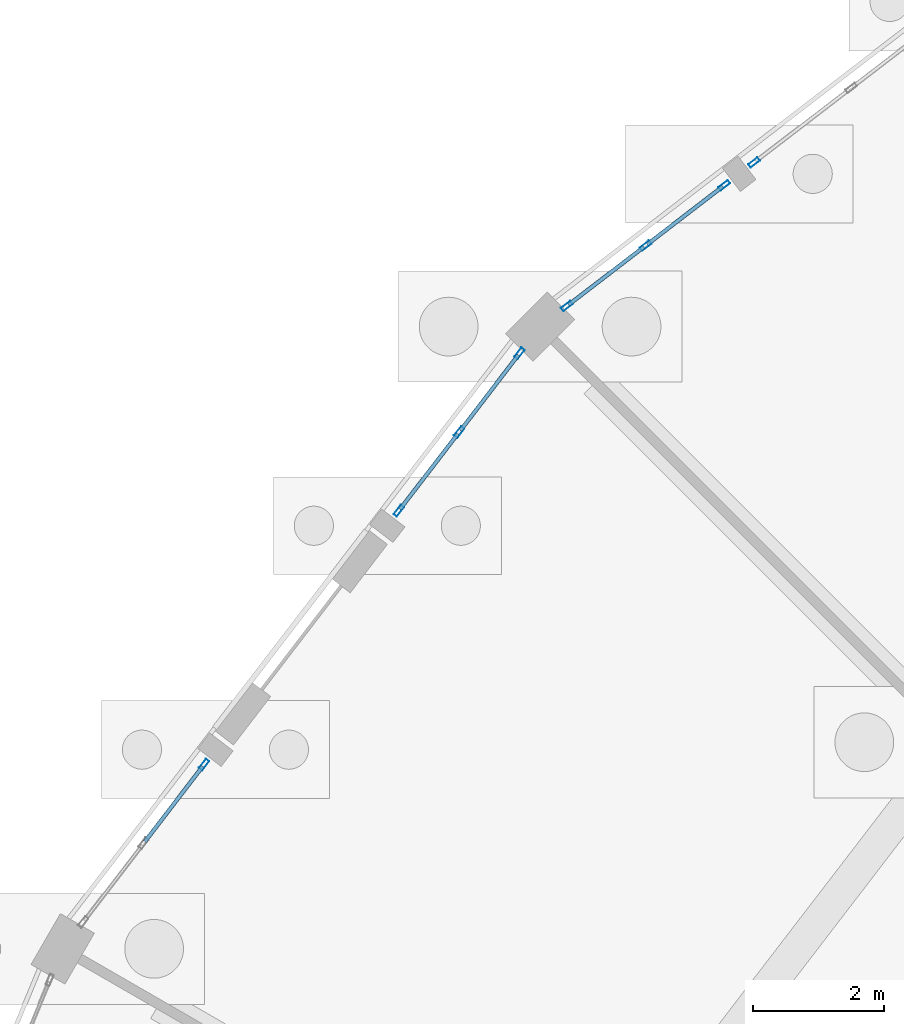
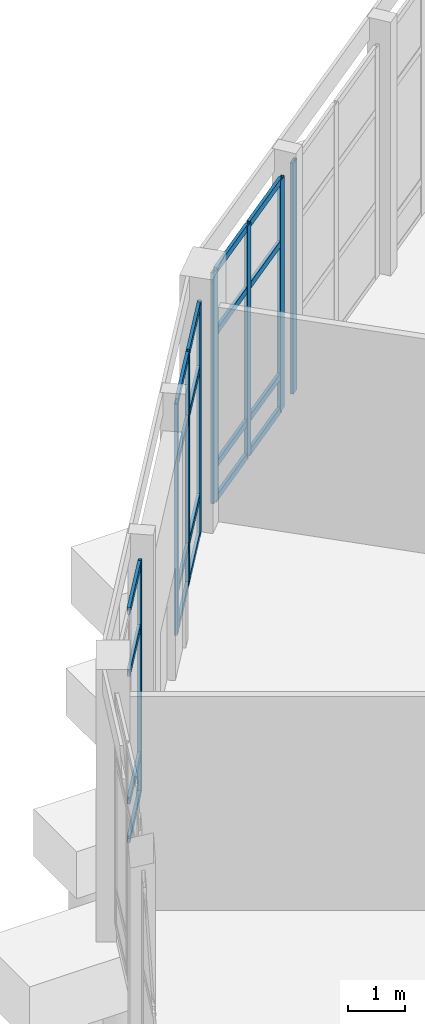
# One storey, part 56 of 137: 28 members, 4 elements without a shape of their own.
"""IFC4 building model written with IfcOpenShell, lengths in metres."""

from ifc_helpers import new_model, si_unit, direction, frame, origin, origin_2d, place, context, subcontext, project, spatial, hollow_rectangle, extrude, material, material_profile, profile_set, type_object, element, aggregate, save


model = new_model("IFC4")

# Units and contexts
model_context = context("Model", 3, precision=1e-05, world=origin(), true_north=direction((0.0, 1.0)))
body_context = subcontext(model_context, "Body", "Model", "MODEL_VIEW")
ifc_project = project(units=[si_unit("LENGTHUNIT", "METRE"), si_unit("AREAUNIT", "SQUARE_METRE"), si_unit("VOLUMEUNIT", "CUBIC_METRE"), si_unit("PLANEANGLEUNIT", "RADIAN"), si_unit("MASSUNIT", "GRAM", prefix="KILO")], contexts=[model_context])

# Site, building, storey
site_placement = place(None, origin())
site = spatial("IfcSite", under=ifc_project, at=site_placement, CompositionType="ELEMENT")
building_placement = place(site_placement, origin())
building = spatial("IfcBuilding", under=site, at=building_placement, Name="Vondelvale Polytechnic", CompositionType="ELEMENT")
storey_placement = place(building_placement, origin())
storey = spatial("IfcBuildingStorey", under=building, at=storey_placement, Name="L00", CompositionType="ELEMENT", Elevation=0.0)

# Curtain wall, member
ifc_material_1 = material(Name="Glulam GL18 structural Tasmanian oak (fb = 42 MPa)", Category="wood")
curtain_wall_type = type_object("IfcCurtainWallType", Name="CW-RING-OUTER", PredefinedType="NOTDEFINED", material=ifc_material_1)
curtain_wall_1_placement = place(storey_placement, origin())
curtain_wall_1 = element("IfcCurtainWall", 1, at=curtain_wall_1_placement, inside=storey, type_object=curtain_wall_type, Name="L00 architectural curtain wall CW-04-192", PredefinedType="NOTDEFINED")
ifc_material_2 = material(Name="Anodised extruded aluminium 6063-T6", Category="aluminium")
ifc_material_profile_1 = material_profile(ifc_material_2, hollow_rectangle(XDim=0.06494140625, YDim=0.179931640625, WallThickness=0.00390625, at=origin_2d()), Name="CW-MUL-180x65")
ifc_profile_set_1 = profile_set([ifc_material_profile_1], Name="Anodised extruded aluminium 6063-T6")
member_type_1 = type_object("IfcMemberType", Name="CW-MUL-65x180", PredefinedType="MULLION", material=ifc_profile_set_1)
member_1_placement = place(storey_placement, frame((72.749755859375, 107.041259765625, 0.0), z_axis=(0.0, 0.0, 1.0), x_axis=(0.608771189063, -0.793345851043, 0.0)))
member_1 = element("IfcMember", 2, at=member_1_placement, type_object=member_type_1, Name="CW-04-192 mullion 3", PredefinedType="MULLION", context=body_context, shape_type="SweptSolid", body=[
    extrude(hollow_rectangle(XDim=0.06494140625, YDim=0.179931640625, WallThickness=0.00390625, at=origin_2d()), origin(), (0.0, 0.0, 1.0), 4.919921875),
])
aggregate(curtain_wall_1, [member_1])

# Curtain wall, members
curtain_wall_2_placement = place(storey_placement, origin())
curtain_wall_2 = element("IfcCurtainWall", 3, at=curtain_wall_2_placement, inside=storey, type_object=curtain_wall_type, Name="L00 architectural curtain wall CW-04-193", PredefinedType="NOTDEFINED")
member_2_placement = place(storey_placement, frame((72.293701171875, 106.691162109375, 0.0), z_axis=(0.0, 0.0, 1.0), x_axis=(0.608763610584, -0.793351666305, 0.0)))
member_2 = element("IfcMember", 4, at=member_2_placement, type_object=member_type_1, Name="CW-04-193 mullion 1", PredefinedType="MULLION", context=body_context, shape_type="SweptSolid", body=[
    extrude(hollow_rectangle(XDim=0.06494140625, YDim=0.179931640625, WallThickness=0.00390625, at=origin_2d()), origin(), (0.0, 0.0, 1.0), 4.919921875),
])
member_3_placement = place(storey_placement, frame((71.088134765625, 105.766357421875, 0.0), z_axis=(0.0, 0.0, 1.0), x_axis=(0.608763610584, -0.793351666305, 0.0)))
member_3 = element("IfcMember", 5, at=member_3_placement, type_object=member_type_1, Name="CW-04-193 mullion 2", PredefinedType="MULLION", context=body_context, shape_type="SweptSolid", body=[
    extrude(hollow_rectangle(XDim=0.06494140625, YDim=0.179931640625, WallThickness=0.00390625, at=origin_2d()), origin(), (0.0, 0.0, 1.0), 4.919921875),
])
member_4_placement = place(storey_placement, frame((69.8828125, 104.84130859375, 0.0), z_axis=(0.0, 0.0, 1.0), x_axis=(0.608763610584, -0.793351666305, 0.0)))
member_4 = element("IfcMember", 6, at=member_4_placement, type_object=member_type_1, Name="CW-04-193 mullion 3", PredefinedType="MULLION", context=body_context, shape_type="SweptSolid", body=[
    extrude(hollow_rectangle(XDim=0.06494140625, YDim=0.179931640625, WallThickness=0.00390625, at=origin_2d()), origin(), (0.0, 0.0, 1.0), 4.919921875),
])

curtain_wall_3_placement = place(storey_placement, origin())
curtain_wall_3 = element("IfcCurtainWall", 7, at=curtain_wall_3_placement, inside=storey, type_object=curtain_wall_type, Name="L00 architectural curtain wall CW-04-211", PredefinedType="NOTDEFINED")
member_5_placement = place(storey_placement, frame((69.15869140625, 104.1171875, 0.0), z_axis=(0.0, 0.0, 1.0), x_axis=(0.793351666305, -0.608763610584, 0.0)))
member_5 = element("IfcMember", 8, at=member_5_placement, type_object=member_type_1, Name="CW-04-211 mullion 1", PredefinedType="MULLION", context=body_context, shape_type="SweptSolid", body=[
    extrude(hollow_rectangle(XDim=0.06494140625, YDim=0.179931640625, WallThickness=0.00390625, at=origin_2d()), origin(), (0.0, 0.0, 1.0), 4.919921875),
])
member_6_placement = place(storey_placement, frame((68.233642578125, 102.911865234375, 0.0), z_axis=(0.0, 0.0, 1.0), x_axis=(0.793351666305, -0.608763610584, 0.0)))
member_6 = element("IfcMember", 9, at=member_6_placement, type_object=member_type_1, Name="CW-04-211 mullion 2", PredefinedType="MULLION", context=body_context, shape_type="SweptSolid", body=[
    extrude(hollow_rectangle(XDim=0.06494140625, YDim=0.179931640625, WallThickness=0.00390625, at=origin_2d()), origin(), (0.0, 0.0, 1.0), 4.919921875),
])
member_7_placement = place(storey_placement, frame((67.308837890625, 101.706298828125, 0.0), z_axis=(0.0, 0.0, 1.0), x_axis=(0.793351666305, -0.608763610584, 0.0)))
member_7 = element("IfcMember", 10, at=member_7_placement, type_object=member_type_1, Name="CW-04-211 mullion 3", PredefinedType="MULLION", context=body_context, shape_type="SweptSolid", body=[
    extrude(hollow_rectangle(XDim=0.06494140625, YDim=0.179931640625, WallThickness=0.00390625, at=origin_2d()), origin(), (0.0, 0.0, 1.0), 4.919921875),
])

# Curtain wall, member
curtain_wall_4_placement = place(storey_placement, origin())
curtain_wall_4 = element("IfcCurtainWall", 11, at=curtain_wall_4_placement, inside=storey, type_object=curtain_wall_type, Name="L00 architectural curtain wall CW-04-212", PredefinedType="NOTDEFINED")
member_8_placement = place(storey_placement, frame((64.3271484375, 97.820556640625, 0.0), z_axis=(0.0, 0.0, 1.0), x_axis=(0.793351666305, -0.608763610584, 0.0)))
member_8 = element("IfcMember", 12, at=member_8_placement, type_object=member_type_1, Name="CW-04-212 mullion 1", PredefinedType="MULLION", context=body_context, shape_type="SweptSolid", body=[
    extrude(hollow_rectangle(XDim=0.06494140625, YDim=0.179931640625, WallThickness=0.00390625, at=origin_2d()), origin(), (0.0, 0.0, 1.0), 4.919921875),
])

# Member
ifc_material_profile_2 = material_profile(ifc_material_2, hollow_rectangle(XDim=0.06005859375, YDim=0.139892578125, WallThickness=0.00341796875, at=origin_2d()), Name="CW-TRN-140x60")
ifc_profile_set_2 = profile_set([ifc_material_profile_2], Name="Anodised extruded aluminium 6063-T6")
member_type_2 = type_object("IfcMemberType", Name="CW-TRN-60x140", PredefinedType="USERDEFINED", material=ifc_profile_set_2)
member_9_placement = place(storey_placement, frame((72.267822265625, 106.67138671875, 0.030029296875), z_axis=(-0.793384744473, -0.608720500097, 0.0), x_axis=(0.608720500097, -0.793384744473, 0.0)))
member_9 = element("IfcMember", 13, at=member_9_placement, type_object=member_type_2, Name="CW-04-193 transom 1.1", ObjectType="TRANSOM", PredefinedType="USERDEFINED", context=body_context, shape_type="SweptSolid", body=[
    extrude(hollow_rectangle(XDim=0.06005859375, YDim=0.139892578125, WallThickness=0.00341796875, at=origin_2d()), origin(), (0.0, 0.0, 1.0), 1.454345703125),
])

member_10_placement = place(storey_placement, frame((72.267822265625, 106.67138671875, 0.75), z_axis=(-0.793384744473, -0.608720500097, 0.0), x_axis=(0.608720500097, -0.793384744473, 0.0)))
member_10 = element("IfcMember", 14, at=member_10_placement, type_object=member_type_2, Name="CW-04-193 transom 1.2", ObjectType="TRANSOM", PredefinedType="USERDEFINED", context=body_context, shape_type="SweptSolid", body=[
    extrude(hollow_rectangle(XDim=0.06005859375, YDim=0.139892578125, WallThickness=0.00341796875, at=origin_2d()), origin(), (0.0, 0.0, 1.0), 1.454345703125),
])

member_11_placement = place(storey_placement, frame((72.267822265625, 106.67138671875, 3.570068359375), z_axis=(-0.793384744473, -0.608720500097, 0.0), x_axis=(0.608720500097, -0.793384744473, 0.0)))
member_11 = element("IfcMember", 15, at=member_11_placement, type_object=member_type_2, Name="CW-04-193 transom 1.3", ObjectType="TRANSOM", PredefinedType="USERDEFINED", context=body_context, shape_type="SweptSolid", body=[
    extrude(hollow_rectangle(XDim=0.06005859375, YDim=0.139892578125, WallThickness=0.00341796875, at=origin_2d()), origin(), (0.0, 0.0, 1.0), 1.454345703125),
])

member_12_placement = place(storey_placement, frame((72.267822265625, 106.67138671875, 4.889892578125), z_axis=(-0.793384744473, -0.608720500097, 0.0), x_axis=(0.608720500097, -0.793384744473, 0.0)))
member_12 = element("IfcMember", 16, at=member_12_placement, type_object=member_type_2, Name="CW-04-193 transom 1.4", ObjectType="TRANSOM", PredefinedType="USERDEFINED", context=body_context, shape_type="SweptSolid", body=[
    extrude(hollow_rectangle(XDim=0.06005859375, YDim=0.139892578125, WallThickness=0.00341796875, at=origin_2d()), origin(), (0.0, 0.0, 1.0), 1.454345703125),
])

member_13_placement = place(storey_placement, frame((71.0625, 105.74658203125, 0.030029296875), z_axis=(-0.793303669799, -0.608826155387, 0.0), x_axis=(0.608826155387, -0.793303669799, 0.0)))
member_13 = element("IfcMember", 17, at=member_13_placement, type_object=member_type_2, Name="CW-04-193 transom 2.1", ObjectType="TRANSOM", PredefinedType="USERDEFINED", context=body_context, shape_type="SweptSolid", body=[
    extrude(hollow_rectangle(XDim=0.06005859375, YDim=0.139892578125, WallThickness=0.00341796875, at=origin_2d()), origin(), (0.0, 0.0, 1.0), 1.454345703125),
])

member_14_placement = place(storey_placement, frame((71.0625, 105.74658203125, 0.75), z_axis=(-0.793303669799, -0.608826155387, 0.0), x_axis=(0.608826155387, -0.793303669799, 0.0)))
member_14 = element("IfcMember", 18, at=member_14_placement, type_object=member_type_2, Name="CW-04-193 transom 2.2", ObjectType="TRANSOM", PredefinedType="USERDEFINED", context=body_context, shape_type="SweptSolid", body=[
    extrude(hollow_rectangle(XDim=0.06005859375, YDim=0.139892578125, WallThickness=0.00341796875, at=origin_2d()), origin(), (0.0, 0.0, 1.0), 1.454345703125),
])

member_15_placement = place(storey_placement, frame((71.0625, 105.74658203125, 3.570068359375), z_axis=(-0.793303669799, -0.608826155387, 0.0), x_axis=(0.608826155387, -0.793303669799, 0.0)))
member_15 = element("IfcMember", 19, at=member_15_placement, type_object=member_type_2, Name="CW-04-193 transom 2.3", ObjectType="TRANSOM", PredefinedType="USERDEFINED", context=body_context, shape_type="SweptSolid", body=[
    extrude(hollow_rectangle(XDim=0.06005859375, YDim=0.139892578125, WallThickness=0.00341796875, at=origin_2d()), origin(), (0.0, 0.0, 1.0), 1.454345703125),
])

member_16_placement = place(storey_placement, frame((71.0625, 105.74658203125, 4.889892578125), z_axis=(-0.793303669799, -0.608826155387, 0.0), x_axis=(0.608826155387, -0.793303669799, 0.0)))
member_16 = element("IfcMember", 20, at=member_16_placement, type_object=member_type_2, Name="CW-04-193 transom 2.4", ObjectType="TRANSOM", PredefinedType="USERDEFINED", context=body_context, shape_type="SweptSolid", body=[
    extrude(hollow_rectangle(XDim=0.06005859375, YDim=0.139892578125, WallThickness=0.00341796875, at=origin_2d()), origin(), (0.0, 0.0, 1.0), 1.454345703125),
])

aggregate(curtain_wall_2, [member_2, member_3, member_4, member_9, member_10, member_11, member_12, member_13, member_14, member_15, member_16])

member_17_placement = place(storey_placement, frame((69.138916015625, 104.09130859375, 0.030029296875), z_axis=(-0.608826155387, -0.793303669799, 0.0), x_axis=(0.793303669799, -0.608826155387, 0.0)))
member_17 = element("IfcMember", 21, at=member_17_placement, type_object=member_type_2, Name="CW-04-211 transom 1.1", ObjectType="TRANSOM", PredefinedType="USERDEFINED", context=body_context, shape_type="SweptSolid", body=[
    extrude(hollow_rectangle(XDim=0.06005859375, YDim=0.139892578125, WallThickness=0.00341796875, at=origin_2d()), origin(), (0.0, 0.0, 1.0), 1.454345703125),
])

member_18_placement = place(storey_placement, frame((69.138916015625, 104.09130859375, 0.85009765625), z_axis=(-0.608826155387, -0.793303669799, 0.0), x_axis=(0.793303669799, -0.608826155387, 0.0)))
member_18 = element("IfcMember", 22, at=member_18_placement, type_object=member_type_2, Name="CW-04-211 transom 1.2", ObjectType="TRANSOM", PredefinedType="USERDEFINED", context=body_context, shape_type="SweptSolid", body=[
    extrude(hollow_rectangle(XDim=0.06005859375, YDim=0.139892578125, WallThickness=0.00341796875, at=origin_2d()), origin(), (0.0, 0.0, 1.0), 1.454345703125),
])

member_19_placement = place(storey_placement, frame((69.138916015625, 104.09130859375, 3.570068359375), z_axis=(-0.608826155387, -0.793303669799, 0.0), x_axis=(0.793303669799, -0.608826155387, 0.0)))
member_19 = element("IfcMember", 23, at=member_19_placement, type_object=member_type_2, Name="CW-04-211 transom 1.3", ObjectType="TRANSOM", PredefinedType="USERDEFINED", context=body_context, shape_type="SweptSolid", body=[
    extrude(hollow_rectangle(XDim=0.06005859375, YDim=0.139892578125, WallThickness=0.00341796875, at=origin_2d()), origin(), (0.0, 0.0, 1.0), 1.454345703125),
])

member_20_placement = place(storey_placement, frame((69.138916015625, 104.09130859375, 4.889892578125), z_axis=(-0.608826155387, -0.793303669799, 0.0), x_axis=(0.793303669799, -0.608826155387, 0.0)))
member_20 = element("IfcMember", 24, at=member_20_placement, type_object=member_type_2, Name="CW-04-211 transom 1.4", ObjectType="TRANSOM", PredefinedType="USERDEFINED", context=body_context, shape_type="SweptSolid", body=[
    extrude(hollow_rectangle(XDim=0.06005859375, YDim=0.139892578125, WallThickness=0.00341796875, at=origin_2d()), origin(), (0.0, 0.0, 1.0), 1.454345703125),
])

member_21_placement = place(storey_placement, frame((68.2138671875, 102.885986328125, 0.030029296875), z_axis=(-0.608720500097, -0.793384744473, 0.0), x_axis=(0.793384744473, -0.608720500097, 0.0)))
member_21 = element("IfcMember", 25, at=member_21_placement, type_object=member_type_2, Name="CW-04-211 transom 2.1", ObjectType="TRANSOM", PredefinedType="USERDEFINED", context=body_context, shape_type="SweptSolid", body=[
    extrude(hollow_rectangle(XDim=0.06005859375, YDim=0.139892578125, WallThickness=0.00341796875, at=origin_2d()), origin(), (0.0, 0.0, 1.0), 1.454345703125),
])

member_22_placement = place(storey_placement, frame((68.2138671875, 102.885986328125, 0.85009765625), z_axis=(-0.608720500097, -0.793384744473, 0.0), x_axis=(0.793384744473, -0.608720500097, 0.0)))
member_22 = element("IfcMember", 26, at=member_22_placement, type_object=member_type_2, Name="CW-04-211 transom 2.2", ObjectType="TRANSOM", PredefinedType="USERDEFINED", context=body_context, shape_type="SweptSolid", body=[
    extrude(hollow_rectangle(XDim=0.06005859375, YDim=0.139892578125, WallThickness=0.00341796875, at=origin_2d()), origin(), (0.0, 0.0, 1.0), 1.454345703125),
])

member_23_placement = place(storey_placement, frame((68.2138671875, 102.885986328125, 3.570068359375), z_axis=(-0.608720500097, -0.793384744473, 0.0), x_axis=(0.793384744473, -0.608720500097, 0.0)))
member_23 = element("IfcMember", 27, at=member_23_placement, type_object=member_type_2, Name="CW-04-211 transom 2.3", ObjectType="TRANSOM", PredefinedType="USERDEFINED", context=body_context, shape_type="SweptSolid", body=[
    extrude(hollow_rectangle(XDim=0.06005859375, YDim=0.139892578125, WallThickness=0.00341796875, at=origin_2d()), origin(), (0.0, 0.0, 1.0), 1.454345703125),
])

member_24_placement = place(storey_placement, frame((68.2138671875, 102.885986328125, 4.889892578125), z_axis=(-0.608720500097, -0.793384744473, 0.0), x_axis=(0.793384744473, -0.608720500097, 0.0)))
member_24 = element("IfcMember", 28, at=member_24_placement, type_object=member_type_2, Name="CW-04-211 transom 2.4", ObjectType="TRANSOM", PredefinedType="USERDEFINED", context=body_context, shape_type="SweptSolid", body=[
    extrude(hollow_rectangle(XDim=0.06005859375, YDim=0.139892578125, WallThickness=0.00341796875, at=origin_2d()), origin(), (0.0, 0.0, 1.0), 1.454345703125),
])

aggregate(curtain_wall_3, [member_5, member_6, member_7, member_17, member_18, member_19, member_20, member_21, member_22, member_23, member_24])

member_25_placement = place(storey_placement, frame((64.307373046875, 97.794677734375, 0.030029296875), z_axis=(-0.608826155387, -0.793303669799, 0.0), x_axis=(0.793303669799, -0.608826155387, 0.0)))
member_25 = element("IfcMember", 29, at=member_25_placement, type_object=member_type_2, Name="CW-04-212 transom 1.1", ObjectType="TRANSOM", PredefinedType="USERDEFINED", context=body_context, shape_type="SweptSolid", body=[
    extrude(hollow_rectangle(XDim=0.06005859375, YDim=0.139892578125, WallThickness=0.00341796875, at=origin_2d()), origin(), (0.0, 0.0, 1.0), 1.454345703125),
])

member_26_placement = place(storey_placement, frame((64.307373046875, 97.794677734375, 0.85009765625), z_axis=(-0.608826155387, -0.793303669799, 0.0), x_axis=(0.793303669799, -0.608826155387, 0.0)))
member_26 = element("IfcMember", 30, at=member_26_placement, type_object=member_type_2, Name="CW-04-212 transom 1.2", ObjectType="TRANSOM", PredefinedType="USERDEFINED", context=body_context, shape_type="SweptSolid", body=[
    extrude(hollow_rectangle(XDim=0.06005859375, YDim=0.139892578125, WallThickness=0.00341796875, at=origin_2d()), origin(), (0.0, 0.0, 1.0), 1.454345703125),
])

member_27_placement = place(storey_placement, frame((64.307373046875, 97.794677734375, 3.570068359375), z_axis=(-0.608826155387, -0.793303669799, 0.0), x_axis=(0.793303669799, -0.608826155387, 0.0)))
member_27 = element("IfcMember", 31, at=member_27_placement, type_object=member_type_2, Name="CW-04-212 transom 1.3", ObjectType="TRANSOM", PredefinedType="USERDEFINED", context=body_context, shape_type="SweptSolid", body=[
    extrude(hollow_rectangle(XDim=0.06005859375, YDim=0.139892578125, WallThickness=0.00341796875, at=origin_2d()), origin(), (0.0, 0.0, 1.0), 1.454345703125),
])

member_28_placement = place(storey_placement, frame((64.307373046875, 97.794677734375, 4.889892578125), z_axis=(-0.608826155387, -0.793303669799, 0.0), x_axis=(0.793303669799, -0.608826155387, 0.0)))
member_28 = element("IfcMember", 32, at=member_28_placement, type_object=member_type_2, Name="CW-04-212 transom 1.4", ObjectType="TRANSOM", PredefinedType="USERDEFINED", context=body_context, shape_type="SweptSolid", body=[
    extrude(hollow_rectangle(XDim=0.06005859375, YDim=0.139892578125, WallThickness=0.00341796875, at=origin_2d()), origin(), (0.0, 0.0, 1.0), 1.454345703125),
])

aggregate(curtain_wall_4, [member_8, member_25, member_26, member_27, member_28])

save(model, "model.ifc")
